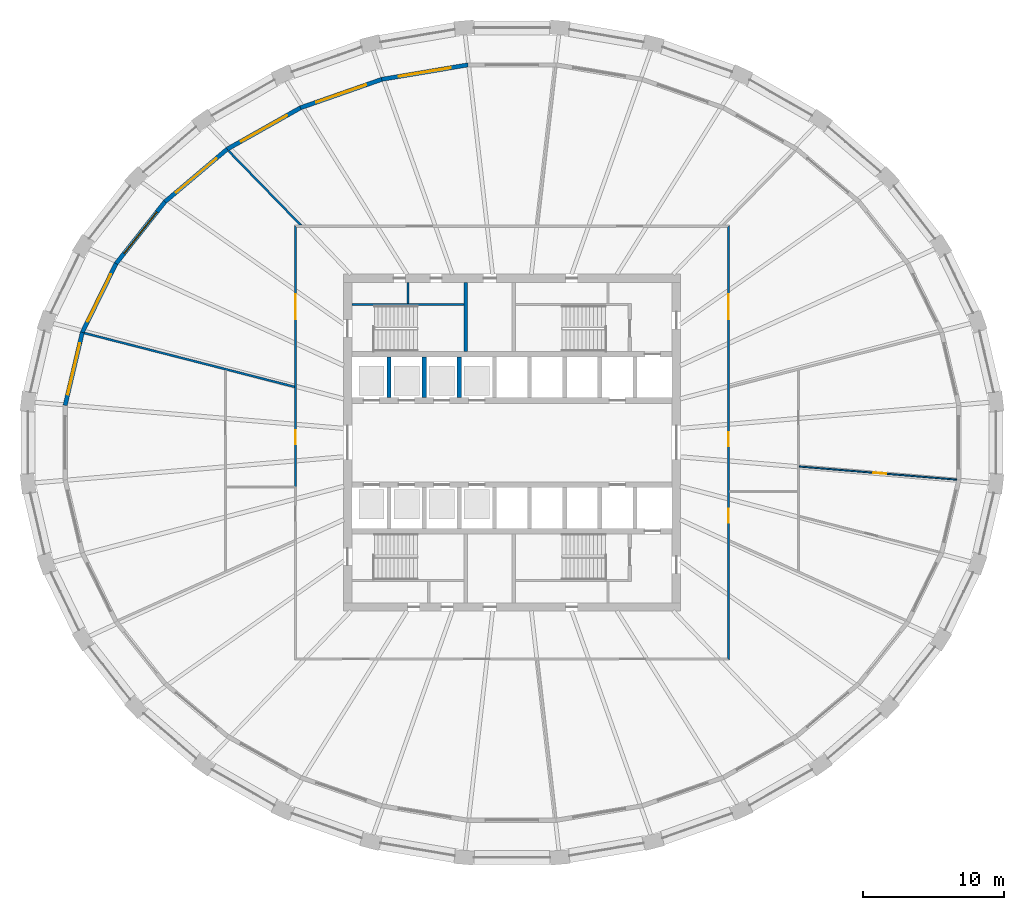
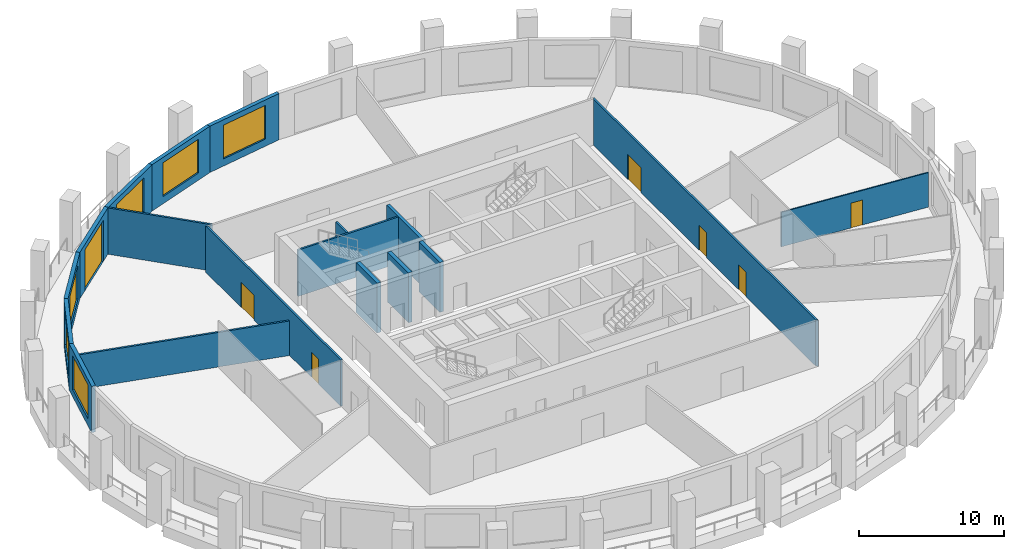
# One storey, part 5 of 10: 18 walls, 7 doors, 6 windows, 13 openings.
"""IFC4 building model written with IfcOpenShell, lengths in metres."""

from ifc_helpers import new_model, si_unit, direction, frame, frame_2d, origin, place, context, subcontext, project, spatial, polyline, rectangle, outline, extrude, material, layer, layer_set, type_object, element, fill, save


model = new_model("IFC4")

# Units and contexts
model_context = context("Model", 3, precision=1e-05, world=origin(), true_north=direction((0.0, 1.0)))
body_context = subcontext(model_context, "Body", "Model", "MODEL_VIEW")
ifc_project = project(units=[si_unit("LENGTHUNIT", "METRE"), si_unit("AREAUNIT", "SQUARE_METRE"), si_unit("VOLUMEUNIT", "CUBIC_METRE"), si_unit("PLANEANGLEUNIT", "RADIAN"), si_unit("MASSUNIT", "GRAM", prefix="KILO")], contexts=[model_context])

# Site, building, storey
site_placement = place(None, origin())
site = spatial("IfcSite", under=ifc_project, at=site_placement, CompositionType="ELEMENT")
building_placement = place(site_placement, origin())
building = spatial("IfcBuilding", under=site, at=building_placement, Name="Halqa Exchange Tower", CompositionType="ELEMENT")
storey_placement = place(building_placement, frame((0.0, 0.0, 133.89990234375)))
storey = spatial("IfcBuildingStorey", under=building, at=storey_placement, Name="L30", CompositionType="ELEMENT", Elevation=133.89990234375)

# Wall
ifc_material_1 = material(Name="Fire-rated gypsum board")
ifc_layer_1 = layer(ifc_material_1, 0.14990234375)
ifc_layer_set_1 = layer_set([ifc_layer_1], Name="Fire-rated gypsum board")
wall_type_1 = type_object("IfcWallType", Name="Fire partition EI 60 150", PredefinedType="PARTITIONING", material=ifc_layer_set_1)
wall_1_placement = place(storey_placement, frame((-30.434814453125, 7.794677734375, 0.0), z_axis=(0.0, 0.0, 1.0), x_axis=(0.968826155352, -0.247741560312, 0.0)))
element("IfcWall", 1, at=wall_1_placement, inside=storey, type_object=wall_type_1, Name="L30-PWL-001", PredefinedType="PARTITIONING", context=body_context, shape_type="SweptSolid", body=[
    extrude(outline(polyline([(0.0, -0.074951171875), (1.737060546875, -0.074951171875), (3.47412109375, -0.074951171875), (5.211181640625, -0.074951171875), (6.9482421875, -0.074951171875), (8.685302734375, -0.074951171875), (10.42236328125, -0.074951171875), (10.42822265625, -0.073486328125), (10.428466796875, -0.074951171875), (12.105712890625, -0.074951171875), (13.78271484375, -0.074951171875), (15.4599609375, -0.074951171875), (15.4599609375, -0.073486328125), (15.422119140625, 0.074951171875), (13.495849609375, 0.074951171875), (11.56982421875, 0.074951171875), (9.643798828125, 0.074951171875), (7.7177734375, 0.074951171875), (5.791748046875, 0.074951171875), (3.86572265625, 0.074951171875), (1.939453125, 0.074951171875), (0.013427734375, 0.074951171875), (0.0, 0.010498046875), (0.0, -0.074951171875)])), origin(), (0.0, 0.0, 1.0), 2.91015625),
])

# Wall, openings, doors
wall_2_placement = place(storey_placement, frame((-15.39990234375, -3.159912109375, 0.0), z_axis=(0.0, 0.0, 1.0), x_axis=(0.0, 1.0, 0.0)))
wall_2 = element("IfcWall", 2, at=wall_2_placement, inside=storey, type_object=wall_type_1, Name="L30-PWL-008", PredefinedType="PARTITIONING", context=body_context, shape_type="SweptSolid", body=[
    extrude(outline(polyline([(0.0, -0.074951171875), (1.848388671875, -0.074951171875), (3.697021484375, -0.074951171875), (5.54541015625, -0.074951171875), (7.39404296875, -0.074951171875), (9.242431640625, -0.074951171875), (11.0908203125, -0.074951171875), (12.939453125, -0.074951171875), (14.787841796875, -0.074951171875), (16.636474609375, -0.074951171875), (18.48486328125, -0.074951171875), (18.634765625, 0.074951171875), (16.771240234375, 0.074951171875), (14.90771484375, 0.074951171875), (13.04443359375, 0.074951171875), (11.180908203125, 0.074951171875), (9.3173828125, 0.074951171875), (7.453857421875, 0.074951171875), (5.59033203125, 0.074951171875), (3.72705078125, 0.074951171875), (1.863525390625, 0.074951171875), (0.0, 0.074951171875), (0.0, -0.074951171875)])), origin(), (0.0, 0.0, 1.0), 3.900146484375),
])
opening_1_placement = place(wall_2_placement, frame((11.93505859375, 0.0, 0.0)))
opening_1 = element("IfcOpeningElement", 3, at=opening_1_placement, cuts=wall_2, Name="Opening 09-03", PredefinedType="OPENING", context=body_context, shape_type="SweptSolid", body=[
    extrude(rectangle(XDim=1.800048828125, YDim=2.10009765625, at=frame_2d((0.89990234375, 1.050048828125))), frame((0.0, 0.0869140625, 0.0), z_axis=(0.0, -1.0, 0.0), x_axis=(1.0, 0.0, 0.0)), (0.0, 0.0, 1.0), 0.173828125),
])
opening_2_placement = place(wall_2_placement, frame((3.054931640625, 0.0, 0.0)))
opening_2 = element("IfcOpeningElement", 4, at=opening_2_placement, cuts=wall_2, Name="Opening 09-05", PredefinedType="OPENING", context=body_context, shape_type="SweptSolid", body=[
    extrude(rectangle(XDim=1.0, YDim=2.10009765625, at=frame_2d((0.5, 1.050048828125))), frame((0.0, 0.0869140625, 0.0), z_axis=(0.0, -1.0, 0.0), x_axis=(1.0, 0.0, 0.0)), (0.0, 0.0, 1.0), 0.173828125),
])
ifc_material_2 = material(Name="Steel fire door leaf", Category="steel")
door_type_1 = type_object("IfcDoorType", Name="Fire door FD30S 1000 x 2100", OperationType="SINGLE_SWING_LEFT", PredefinedType="DOOR", material=ifc_material_2)
door_1_placement = place(opening_2_placement, origin())
door_1 = element("IfcDoor", 5, at=door_1_placement, inside=storey, type_object=door_type_1, Name="L30-IDR-005", OperationType="SINGLE_SWING_LEFT", OverallHeight=2.10009765625, OverallWidth=1.0, PredefinedType="DOOR", context=body_context, shape_type="SweptSolid", body=[
    extrude(rectangle(XDim=1.0, YDim=2.10009765625, at=frame_2d((0.5, 1.050048828125))), frame((0.0, 0.02490234375, 0.0), z_axis=(0.0, -1.0, 0.0), x_axis=(1.0, 0.0, 0.0)), (0.0, 0.0, 1.0), 0.050048828125),
])
fill(opening_2, door_1)
door_type_2 = type_object("IfcDoorType", Name="Fire door FD30S double 1800 x 2100", OperationType="DOUBLE_DOOR_SINGLE_SWING", PredefinedType="DOOR", material=ifc_material_2)
door_2_placement = place(opening_1_placement, origin())
door_2 = element("IfcDoor", 6, at=door_2_placement, inside=storey, type_object=door_type_2, Name="L30-IDR-003", OperationType="DOUBLE_DOOR_SINGLE_SWING", OverallHeight=2.10009765625, OverallWidth=1.800048828125, PredefinedType="DOOR", context=body_context, shape_type="SweptSolid", body=[
    extrude(rectangle(XDim=1.800048828125, YDim=2.10009765625, at=frame_2d((0.89990234375, 1.050048828125))), frame((0.0, 0.02490234375, 0.0), z_axis=(0.0, -1.0, 0.0), x_axis=(1.0, 0.0, 0.0)), (0.0, 0.0, 1.0), 0.050048828125),
])
fill(opening_1, door_2)

# Wall
wall_3_placement = place(storey_placement, frame((-14.982421875, 15.4228515625, 0.0), z_axis=(0.0, 0.0, 1.0), x_axis=(-0.69739829169, 0.716683767604, 0.0)))
element("IfcWall", 7, at=wall_3_placement, inside=storey, type_object=wall_type_1, Name="L30-PWL-010", PredefinedType="PARTITIONING", context=body_context, shape_type="SweptSolid", body=[
    extrude(outline(polyline([(7.430908203125, 0.074951171875), (5.609619140625, 0.074951171875), (3.788330078125, 0.074951171875), (1.967041015625, 0.074951171875), (0.145751953125, 0.074951171875), (0.0, -0.07470703125), (0.0, -0.074951171875), (1.857666015625, -0.074951171875), (3.71533203125, -0.074951171875), (5.5732421875, -0.074951171875), (7.430908203125, -0.074951171875), (7.430908203125, 0.074951171875)])), origin(), (0.0, 0.0, 1.0), 3.900146484375),
])

# Wall, openings, doors
wall_4_placement = place(storey_placement, frame((15.39990234375, -15.47509765625, 0.0), z_axis=(0.0, 0.0, 1.0), x_axis=(0.0, 1.0, 0.0)))
wall_4 = element("IfcWall", 8, at=wall_4_placement, inside=storey, type_object=wall_type_1, Name="L30-PWL-013", PredefinedType="PARTITIONING", context=body_context, shape_type="SweptSolid", body=[
    extrude(outline(polyline([(0.000244140625, -0.074951171875), (1.9345703125, -0.074951171875), (3.868896484375, -0.074951171875), (5.80322265625, -0.074951171875), (7.73779296875, -0.074951171875), (9.672119140625, -0.074951171875), (11.6064453125, -0.074951171875), (13.540771484375, -0.074951171875), (15.47509765625, -0.074951171875), (17.409423828125, -0.074951171875), (19.34375, -0.074951171875), (21.278076171875, -0.074951171875), (23.21240234375, -0.074951171875), (25.14697265625, -0.074951171875), (27.081298828125, -0.074951171875), (29.015625, -0.074951171875), (30.949951171875, -0.074951171875), (30.800048828125, 0.074951171875), (28.884521484375, 0.074951171875), (26.96875, 0.074951171875), (25.05322265625, 0.074951171875), (23.1376953125, 0.074951171875), (21.221923828125, 0.074951171875), (19.306396484375, 0.074951171875), (17.390625, 0.074951171875), (15.47509765625, 0.074951171875), (13.5595703125, 0.074951171875), (11.643798828125, 0.074951171875), (9.728271484375, 0.074951171875), (7.8125, 0.074951171875), (5.89697265625, 0.074951171875), (3.9814453125, 0.074951171875), (2.065673828125, 0.074951171875), (0.150146484375, 0.074951171875), (0.000244140625, -0.074951171875)])), origin(), (0.0, 0.0, 1.0), 3.900146484375),
])
opening_3_placement = place(wall_4_placement, frame((9.760009765625, 0.0, 0.0)))
opening_3 = element("IfcOpeningElement", 9, at=opening_3_placement, cuts=wall_4, Name="Opening 09-09", PredefinedType="OPENING", context=body_context, shape_type="SweptSolid", body=[
    extrude(rectangle(XDim=1.0, YDim=2.10009765625, at=frame_2d((0.5, 1.050048828125))), frame((0.0, 0.0869140625, 0.0), z_axis=(0.0, -1.0, 0.0), x_axis=(1.0, 0.0, 0.0)), (0.0, 0.0, 1.0), 0.173828125),
])
opening_4_placement = place(wall_4_placement, frame((15.2099609375, 0.0, 0.0)))
opening_4 = element("IfcOpeningElement", 10, at=opening_4_placement, cuts=wall_4, Name="Opening 09-10", PredefinedType="OPENING", context=body_context, shape_type="SweptSolid", body=[
    extrude(rectangle(XDim=1.0, YDim=2.10009765625, at=frame_2d((0.5, 1.050048828125))), frame((0.0, 0.0869140625, 0.0), z_axis=(0.0, -1.0, 0.0), x_axis=(1.0, 0.0, 0.0)), (0.0, 0.0, 1.0), 0.173828125),
])
opening_5_placement = place(wall_4_placement, frame((24.25, 0.0, 0.0)))
opening_5 = element("IfcOpeningElement", 11, at=opening_5_placement, cuts=wall_4, Name="Opening 09-11", PredefinedType="OPENING", context=body_context, shape_type="SweptSolid", body=[
    extrude(rectangle(XDim=1.800048828125, YDim=2.10009765625, at=frame_2d((0.89990234375, 1.050048828125))), frame((0.0, 0.0869140625, 0.0), z_axis=(0.0, -1.0, 0.0), x_axis=(1.0, 0.0, 0.0)), (0.0, 0.0, 1.0), 0.173828125),
])
door_3_placement = place(opening_3_placement, frame((1.0, 0.0, 0.0), z_axis=(0.0, 0.0, 1.0), x_axis=(-1.0, 0.0, 0.0)))
door_3 = element("IfcDoor", 12, at=door_3_placement, inside=storey, type_object=door_type_1, Name="L30-IDR-009", OperationType="SINGLE_SWING_LEFT", OverallHeight=2.10009765625, OverallWidth=1.0, PredefinedType="DOOR", context=body_context, shape_type="SweptSolid", body=[
    extrude(rectangle(XDim=1.0, YDim=2.10009765625, at=frame_2d((0.5, 1.050048828125))), frame((0.0, 0.02490234375, 0.0), z_axis=(0.0, -1.0, 0.0), x_axis=(1.0, 0.0, 0.0)), (0.0, 0.0, 1.0), 0.050048828125),
])
fill(opening_3, door_3)
door_4_placement = place(opening_4_placement, frame((1.0, 0.0, 0.0), z_axis=(0.0, 0.0, 1.0), x_axis=(-1.0, 0.0, 0.0)))
door_4 = element("IfcDoor", 13, at=door_4_placement, inside=storey, type_object=door_type_1, Name="L30-IDR-010", OperationType="SINGLE_SWING_RIGHT", OverallHeight=2.10009765625, OverallWidth=1.0, PredefinedType="DOOR", context=body_context, shape_type="SweptSolid", body=[
    extrude(rectangle(XDim=1.0, YDim=2.10009765625, at=frame_2d((0.5, 1.050048828125))), frame((0.0, 0.02490234375, 0.0), z_axis=(0.0, -1.0, 0.0), x_axis=(1.0, 0.0, 0.0)), (0.0, 0.0, 1.0), 0.050048828125),
])
fill(opening_4, door_4)
door_5_placement = place(opening_5_placement, frame((1.800048828125, 0.0, 0.0), z_axis=(0.0, 0.0, 1.0), x_axis=(-1.0, 0.0, 0.0)))
door_5 = element("IfcDoor", 14, at=door_5_placement, inside=storey, type_object=door_type_2, Name="L30-IDR-011", OperationType="DOUBLE_DOOR_SINGLE_SWING", OverallHeight=2.10009765625, OverallWidth=1.800048828125, PredefinedType="DOOR", context=body_context, shape_type="SweptSolid", body=[
    extrude(rectangle(XDim=1.800048828125, YDim=2.10009765625, at=frame_2d((0.89990234375, 1.050048828125))), frame((0.0, 0.02490234375, 0.0), z_axis=(0.0, -1.0, 0.0), x_axis=(1.0, 0.0, 0.0)), (0.0, 0.0, 1.0), 0.050048828125),
])
fill(opening_5, door_5)

# Wall, opening, door
ifc_material_3 = material(Name="Gypsum board")
ifc_layer_2 = layer(ifc_material_3, 0.10009765625)
ifc_layer_set_2 = layer_set([ifc_layer_2], Name="Gypsum board")
wall_type_2 = type_object("IfcWallType", Name="Partition 100 gypsum", PredefinedType="PARTITIONING", material=ifc_layer_set_2)
wall_5_placement = place(storey_placement, frame((20.4462890625, -1.703857421875, 0.0), z_axis=(0.0, 0.0, 1.0), x_axis=(0.996562664629, -0.082842353107, 0.0)))
wall_5 = element("IfcWall", 15, at=wall_5_placement, inside=storey, type_object=wall_type_2, Name="L30-PWL-020", PredefinedType="PARTITIONING", context=body_context, shape_type="SweptSolid", body=[
    extrude(outline(polyline([(0.0078125, -0.050048828125), (1.87939453125, -0.050048828125), (3.750732421875, -0.050048828125), (5.6220703125, -0.050048828125), (7.49365234375, -0.050048828125), (9.364990234375, -0.050048828125), (11.236328125, -0.050048828125), (11.239990234375, -0.026123046875), (11.239990234375, 0.050048828125), (9.36669921875, 0.050048828125), (7.493408203125, 0.050048828125), (5.6201171875, 0.050048828125), (3.74658203125, 0.050048828125), (1.873291015625, 0.050048828125), (0.0, 0.050048828125), (0.0, 0.044677734375), (0.0078125, -0.050048828125)])), origin(), (0.0, 0.0, 1.0), 2.91015625),
])
opening_6_placement = place(wall_5_placement, frame((5.29833984375, 0.0, 0.0)))
opening_6 = element("IfcOpeningElement", 16, at=opening_6_placement, cuts=wall_5, Name="Opening 09-14", PredefinedType="OPENING", context=body_context, shape_type="SweptSolid", body=[
    extrude(rectangle(XDim=0.89990234375, YDim=2.10009765625, at=frame_2d((0.449951171875, 1.050048828125))), frame((0.0, 0.06201171875, 0.0), z_axis=(0.0, -1.0, 0.0), x_axis=(1.0, 0.0, 0.0)), (0.0, 0.0, 1.0), 0.1240234375),
])
ifc_material_4 = material(Name="Timber door leaf", Category="wood")
door_type_3 = type_object("IfcDoorType", Name="Door 900 x 2100", OperationType="SINGLE_SWING_LEFT", PredefinedType="DOOR", material=ifc_material_4)
door_6_placement = place(opening_6_placement, frame((0.89990234375, 0.0, 0.0), z_axis=(0.0, 0.0, 1.0), x_axis=(-1.0, 0.0, 0.0)))
door_6 = element("IfcDoor", 17, at=door_6_placement, inside=storey, type_object=door_type_3, Name="L30-IDR-014", OperationType="SINGLE_SWING_LEFT", OverallHeight=2.10009765625, OverallWidth=0.89990234375, PredefinedType="DOOR", context=body_context, shape_type="SweptSolid", body=[
    extrude(rectangle(XDim=0.89990234375, YDim=2.10009765625, at=frame_2d((0.449951171875, 1.050048828125))), frame((0.0, 0.02490234375, 0.0), z_axis=(0.0, -1.0, 0.0), x_axis=(1.0, 0.0, 0.0)), (0.0, 0.0, 1.0), 0.050048828125),
])
fill(opening_6, door_6)

# Walls
ifc_layer_3 = layer(ifc_material_3, 0.14990234375)
ifc_layer_set_3 = layer_set([ifc_layer_3], Name="Gypsum board")
wall_type_3 = type_object("IfcWallType", Name="Penthouse riser wall 150 gypsum", PredefinedType="PARTITIONING", material=ifc_layer_set_3)
wall_6_placement = place(storey_placement, frame((-7.39990234375, 9.89990234375, 0.0), z_axis=(0.0, 0.0, 1.0), x_axis=(0.0, 1.0, 0.0)))
element("IfcWall", 18, at=wall_6_placement, inside=storey, type_object=wall_type_3, Name="Partition W7.400 N", PredefinedType="PARTITIONING", context=body_context, shape_type="SweptSolid", body=[
    extrude(rectangle(XDim=1.5, YDim=0.14990234375, at=frame_2d((0.75, 0.0))), origin(), (0.0, 0.0, 1.0), 3.900146484375),
])
ifc_material_5 = material(Name="Concrete C60/75", Category="concrete")
ifc_layer_4 = layer(ifc_material_5, 0.300048828125)
ifc_layer_set_4 = layer_set([ifc_layer_4], Name="Concrete C60/75")
wall_type_4 = type_object("IfcWallType", Name="RC core wall 300", PredefinedType="SHEAR", material=ifc_layer_set_4)
for number, where, z_axis, x_axis, name in (
    (19, (-8.75, 3.199951171875, 0.0), (0.0, 0.0, 1.0), (0.0, 1.0, 0.0), "Shaft divider N1"),
    (20, (-6.25, 3.199951171875, 0.0), (0.0, 0.0, 1.0), (0.0, 1.0, 0.0), "Shaft divider N2"),
    (21, (-3.75, 3.199951171875, 0.0), (0.0, 0.0, 1.0), (0.0, 1.0, 0.0), "Shaft divider N3"),
):
    element("IfcWall", number, at=place(storey_placement, frame(where, z_axis=z_axis, x_axis=x_axis)), inside=storey, type_object=wall_type_4, Name=name, PredefinedType="SHEAR", context=body_context, shape_type="SweptSolid", body=[
        extrude(rectangle(XDim=2.900146484375, YDim=0.300048828125, at=frame_2d((1.4501953125, 0.0))), origin(), (0.0, 0.0, 1.0), 4.2001953125),
    ])
ifc_material_6 = material(Name="Concrete C30/37", Category="concrete")
ifc_layer_5 = layer(ifc_material_6, 0.14990234375)
ifc_layer_set_5 = layer_set([ifc_layer_5], Name="Concrete C30/37")
wall_type_5 = type_object("IfcWallType", Name="RC stair wall 150 C30/37", PredefinedType="SHEAR", material=ifc_layer_set_5)
wall_7_placement = place(storey_placement, frame((-11.39990234375, 9.824951171875, 0.0), z_axis=(0.0, 0.0, 1.0), x_axis=(1.0, 0.0, 0.0)))
element("IfcWall", 22, at=wall_7_placement, inside=storey, type_object=wall_type_5, Name="Stair ST1 north wall N", PredefinedType="SHEAR", context=body_context, shape_type="SweptSolid", body=[
    extrude(rectangle(XDim=8.0, YDim=0.14990234375, at=frame_2d((4.0, 0.0))), origin(), (0.0, 0.0, 1.0), 3.900146484375),
])
ifc_layer_6 = layer(ifc_material_6, 0.25)
ifc_layer_set_6 = layer_set([ifc_layer_6], Name="Concrete C30/37")
wall_type_6 = type_object("IfcWallType", Name="RC stair wall 250 C30/37", PredefinedType="SHEAR", material=ifc_layer_set_6)
wall_8_placement = place(storey_placement, frame((-3.27490234375, 6.5, 0.0), z_axis=(0.0, 0.0, 1.0), x_axis=(0.0, 1.0, 0.0)))
element("IfcWall", 23, at=wall_8_placement, inside=storey, type_object=wall_type_6, Name="Stair ST1 east wall N", PredefinedType="SHEAR", context=body_context, shape_type="SweptSolid", body=[
    extrude(rectangle(XDim=4.89990234375, YDim=0.25, at=frame_2d((2.449951171875, 0.0))), origin(), (0.0, 0.0, 1.0), 3.900146484375),
])

# Wall, opening, window
ifc_material_7 = material(Name="Limestone cladding", Category="masonry")
ifc_layer_7 = layer(ifc_material_7, 0.0400390625)
ifc_material_8 = material(Name="Ventilated cavity")
ifc_layer_8 = layer(ifc_material_8, 0.030029296875, ventilated=True)
ifc_material_9 = material(Name="Mineral wool insulation")
ifc_layer_9 = layer(ifc_material_9, 0.10009765625)
ifc_layer_10 = layer(ifc_material_6, 0.10009765625)
ifc_material_10 = material(Name="Internal plaster")
ifc_layer_11 = layer(ifc_material_10, 0.030029296875)
ifc_layer_set_7 = layer_set([ifc_layer_7, ifc_layer_8, ifc_layer_9, ifc_layer_10, ifc_layer_11], Name="Stone-faced insulated wall 300")
wall_type_7 = type_object("IfcWallType", Name="Stone-faced insulated wall 300", PredefinedType="STANDARD", material=ifc_layer_set_7)
wall_9_placement = place(storey_placement, frame((-3.1298828125, 26.88232421875, 0.0), z_axis=(0.0, 0.0, 1.0), x_axis=(-0.9861811474, -0.165670590368, 0.0)))
wall_9 = element("IfcWall", 24, at=wall_9_placement, inside=storey, type_object=wall_type_7, Name="Glass-line wall 9", PredefinedType="STANDARD", context=body_context, shape_type="SweptSolid", body=[
    extrude(outline(polyline([(-0.012451171875, -0.14990234375), (6.23876953125, -0.14990234375), (6.21337890625, 0.14990234375), (0.012451171875, 0.14990234375), (-0.012451171875, -0.14990234375)])), origin(), (0.0, 0.0, 1.0), 3.900146484375),
])
opening_7_placement = place(wall_9_placement, frame((1.238037109375, 0.0, 0.60009765625)))
opening_7 = element("IfcOpeningElement", 25, at=opening_7_placement, cuts=wall_9, Name="Opening W-F2-09", PredefinedType="OPENING", context=body_context, shape_type="SweptSolid", body=[
    extrude(rectangle(XDim=3.75, YDim=2.85009765625, at=frame_2d((1.875, 1.425048828125))), frame((0.0, 0.162109375, 0.0), z_axis=(0.0, -1.0, 0.0), x_axis=(1.0, 0.0, 0.0)), (0.0, 0.0, 1.0), 0.323974609375),
])
ifc_material_11 = material(Name="Clear low-emissivity glass in aluminium frame", Category="aluminium")
window_type = type_object("IfcWindowType", Name="Fixed clear glazed window 3750 x 2850", PartitioningType="TRIPLE_PANEL_VERTICAL", PredefinedType="WINDOW", material=ifc_material_11)
window_1_placement = place(opening_7_placement, origin())
window_1 = element("IfcWindow", 26, at=window_1_placement, inside=storey, type_object=window_type, Name="Window 2", OverallHeight=2.85009765625, OverallWidth=3.75, PartitioningType="TRIPLE_PANEL_VERTICAL", PredefinedType="WINDOW", context=body_context, shape_type="SweptSolid", body=[
    extrude(rectangle(XDim=3.75, YDim=2.85009765625, at=frame_2d((1.875, 1.425048828125))), frame((0.0, 0.030029296875, 0.0), z_axis=(0.0, -1.0, 0.0), x_axis=(1.0, 0.0, 0.0)), (0.0, 0.0, 1.0), 0.06005859375),
])
fill(opening_7, window_1)

wall_10_placement = place(storey_placement, frame((-9.27001953125, 25.850830078125, 0.0), z_axis=(0.0, 0.0, 1.0), x_axis=(-0.943911133508, -0.330199594245, 0.0)))
wall_10 = element("IfcWall", 27, at=wall_10_placement, inside=storey, type_object=wall_type_7, Name="Glass-line wall 10", PredefinedType="STANDARD", context=body_context, shape_type="SweptSolid", body=[
    extrude(outline(polyline([(-0.0126953125, -0.14990234375), (6.14208984375, -0.14990234375), (6.115234375, 0.14990234375), (0.0126953125, 0.14990234375), (-0.0126953125, -0.14990234375)])), origin(), (0.0, 0.0, 1.0), 3.900146484375),
])
opening_8_placement = place(wall_10_placement, frame((1.189208984375, 0.0, 0.60009765625)))
opening_8 = element("IfcOpeningElement", 28, at=opening_8_placement, cuts=wall_10, Name="Opening W-F2-10", PredefinedType="OPENING", context=body_context, shape_type="SweptSolid", body=[
    extrude(rectangle(XDim=3.75, YDim=2.85009765625, at=frame_2d((1.875, 1.425048828125))), frame((0.0, 0.162109375, 0.0), z_axis=(0.0, -1.0, 0.0), x_axis=(1.0, 0.0, 0.0)), (0.0, 0.0, 1.0), 0.323974609375),
])
window_2_placement = place(opening_8_placement, origin())
window_2 = element("IfcWindow", 29, at=window_2_placement, inside=storey, type_object=window_type, Name="Window 2", OverallHeight=2.85009765625, OverallWidth=3.75, PartitioningType="TRIPLE_PANEL_VERTICAL", PredefinedType="WINDOW", context=body_context, shape_type="SweptSolid", body=[
    extrude(rectangle(XDim=3.75, YDim=2.85009765625, at=frame_2d((1.875, 1.425048828125))), frame((0.0, 0.030029296875, 0.0), z_axis=(0.0, -1.0, 0.0), x_axis=(1.0, 0.0, 0.0)), (0.0, 0.0, 1.0), 0.06005859375),
])
fill(opening_8, window_2)

wall_11_placement = place(storey_placement, frame((-15.054931640625, 23.8271484375, 0.0), z_axis=(0.0, 0.0, 1.0), x_axis=(-0.87090857883, -0.491445060327, 0.0)))
wall_11 = element("IfcWall", 30, at=wall_11_placement, inside=storey, type_object=wall_type_7, Name="Glass-line wall 11", PredefinedType="STANDARD", context=body_context, shape_type="SweptSolid", body=[
    extrude(outline(polyline([(-0.013427734375, -0.14990234375), (5.994384765625, -0.14990234375), (5.966064453125, 0.14990234375), (0.013427734375, 0.14990234375), (-0.013427734375, -0.14990234375)])), origin(), (0.0, 0.0, 1.0), 3.900146484375),
])
opening_9_placement = place(wall_11_placement, frame((1.114990234375, 0.0, 0.60009765625)))
opening_9 = element("IfcOpeningElement", 31, at=opening_9_placement, cuts=wall_11, Name="Opening W-F2-11", PredefinedType="OPENING", context=body_context, shape_type="SweptSolid", body=[
    extrude(rectangle(XDim=3.75, YDim=2.85009765625, at=frame_2d((1.875, 1.425048828125))), frame((0.0, 0.162109375, 0.0), z_axis=(0.0, -1.0, 0.0), x_axis=(1.0, 0.0, 0.0)), (0.0, 0.0, 1.0), 0.323974609375),
])
window_3_placement = place(opening_9_placement, origin())
window_3 = element("IfcWindow", 32, at=window_3_placement, inside=storey, type_object=window_type, Name="Window 2", OverallHeight=2.85009765625, OverallWidth=3.75, PartitioningType="TRIPLE_PANEL_VERTICAL", PredefinedType="WINDOW", context=body_context, shape_type="SweptSolid", body=[
    extrude(rectangle(XDim=3.75, YDim=2.85009765625, at=frame_2d((1.875, 1.425048828125))), frame((0.0, 0.030029296875, 0.0), z_axis=(0.0, -1.0, 0.0), x_axis=(1.0, 0.0, 0.0)), (0.0, 0.0, 1.0), 0.06005859375),
])
fill(opening_9, window_3)

# Wall, opening, door
wall_12_placement = place(storey_placement, frame((-20.26318359375, 20.88818359375, 0.0), z_axis=(0.0, 0.0, 1.0), x_axis=(-0.763963973896, -0.645258898884, 0.0)))
wall_12 = element("IfcWall", 33, at=wall_12_placement, inside=storey, type_object=wall_type_7, Name="Glass-line wall 12", PredefinedType="STANDARD", context=body_context, shape_type="SweptSolid", body=[
    extrude(outline(polyline([(-0.01416015625, -0.14990234375), (5.81494140625, -0.14990234375), (5.78466796875, 0.14990234375), (0.01416015625, 0.14990234375), (-0.01416015625, -0.14990234375)])), origin(), (0.0, 0.0, 1.0), 3.900146484375),
])
opening_10_placement = place(wall_12_placement, frame((1.02490234375, 0.0, 0.0)))
opening_10 = element("IfcOpeningElement", 34, at=opening_10_placement, cuts=wall_12, Name="Opening LG-F2-03", PredefinedType="OPENING", context=body_context, shape_type="SweptSolid", body=[
    extrude(rectangle(XDim=3.75, YDim=3.449951171875, at=frame_2d((1.875, 1.72509765625))), frame((0.0, 0.162109375, 0.0), z_axis=(0.0, -1.0, 0.0), x_axis=(1.0, 0.0, 0.0)), (0.0, 0.0, 1.0), 0.323974609375),
])
door_type_4 = type_object("IfcDoorType", Name="Glazed sliding loggia door 3750 x 3450", OperationType="DOUBLE_DOOR_SLIDING", PredefinedType="DOOR", material=ifc_material_11)
door_7_placement = place(opening_10_placement, origin())
door_7 = element("IfcDoor", 35, at=door_7_placement, inside=storey, type_object=door_type_4, Name="Loggia door 3", OperationType="DOUBLE_DOOR_SLIDING", OverallHeight=3.449951171875, OverallWidth=3.75, PredefinedType="DOOR", context=body_context, shape_type="SweptSolid", body=[
    extrude(rectangle(XDim=3.75, YDim=3.449951171875, at=frame_2d((1.875, 1.72509765625))), frame((0.0, 0.02490234375, 0.0), z_axis=(0.0, -1.0, 0.0), x_axis=(1.0, 0.0, 0.0)), (0.0, 0.0, 1.0), 0.050048828125),
])
fill(opening_10, door_7)

# Wall, opening, window
wall_13_placement = place(storey_placement, frame((-24.694091796875, 17.145751953125, 0.0), z_axis=(0.0, 0.0, 1.0), x_axis=(-0.620464552431, -0.784234492468, 0.0)))
wall_13 = element("IfcWall", 36, at=wall_13_placement, inside=storey, type_object=wall_type_7, Name="Glass-line wall 13", PredefinedType="STANDARD", context=body_context, shape_type="SweptSolid", body=[
    extrude(outline(polyline([(-0.01513671875, -0.14990234375), (5.63037109375, -0.14990234375), (5.59814453125, 0.14990234375), (0.01513671875, 0.14990234375), (-0.01513671875, -0.14990234375)])), origin(), (0.0, 0.0, 1.0), 3.900146484375),
])
opening_11_placement = place(wall_13_placement, frame((0.931884765625, 0.0, 0.60009765625)))
opening_11 = element("IfcOpeningElement", 37, at=opening_11_placement, cuts=wall_13, Name="Opening W-F2-13", PredefinedType="OPENING", context=body_context, shape_type="SweptSolid", body=[
    extrude(rectangle(XDim=3.75, YDim=2.85009765625, at=frame_2d((1.875, 1.425048828125))), frame((0.0, 0.162109375, 0.0), z_axis=(0.0, -1.0, 0.0), x_axis=(1.0, 0.0, 0.0)), (0.0, 0.0, 1.0), 0.323974609375),
])
window_4_placement = place(opening_11_placement, origin())
window_4 = element("IfcWindow", 38, at=window_4_placement, inside=storey, type_object=window_type, Name="Window 2", OverallHeight=2.85009765625, OverallWidth=3.75, PartitioningType="TRIPLE_PANEL_VERTICAL", PredefinedType="WINDOW", context=body_context, shape_type="SweptSolid", body=[
    extrude(rectangle(XDim=3.75, YDim=2.85009765625, at=frame_2d((1.875, 1.425048828125))), frame((0.0, 0.030029296875, 0.0), z_axis=(0.0, -1.0, 0.0), x_axis=(1.0, 0.0, 0.0)), (0.0, 0.0, 1.0), 0.06005859375),
])
fill(opening_11, window_4)

wall_14_placement = place(storey_placement, frame((-28.177490234375, 12.742919921875, 0.0), z_axis=(0.0, 0.0, 1.0), x_axis=(-0.440321465864, -0.897840189956, 0.0)))
wall_14 = element("IfcWall", 39, at=wall_14_placement, inside=storey, type_object=wall_type_7, Name="Glass-line wall 14", PredefinedType="STANDARD", context=body_context, shape_type="SweptSolid", body=[
    extrude(outline(polyline([(-0.01611328125, -0.14990234375), (5.46826171875, -0.14990234375), (5.4345703125, 0.14990234375), (0.01611328125, 0.14990234375), (-0.01611328125, -0.14990234375)])), origin(), (0.0, 0.0, 1.0), 3.900146484375),
])
opening_12_placement = place(wall_14_placement, frame((0.850830078125, 0.0, 0.60009765625)))
opening_12 = element("IfcOpeningElement", 40, at=opening_12_placement, cuts=wall_14, Name="Opening W-F2-14", PredefinedType="OPENING", context=body_context, shape_type="SweptSolid", body=[
    extrude(rectangle(XDim=3.75, YDim=2.85009765625, at=frame_2d((1.875, 1.425048828125))), frame((0.0, 0.162109375, 0.0), z_axis=(0.0, -1.0, 0.0), x_axis=(1.0, 0.0, 0.0)), (0.0, 0.0, 1.0), 0.323974609375),
])
window_5_placement = place(opening_12_placement, origin())
window_5 = element("IfcWindow", 41, at=window_5_placement, inside=storey, type_object=window_type, Name="Window 2", OverallHeight=2.85009765625, OverallWidth=3.75, PartitioningType="TRIPLE_PANEL_VERTICAL", PredefinedType="WINDOW", context=body_context, shape_type="SweptSolid", body=[
    extrude(rectangle(XDim=3.75, YDim=2.85009765625, at=frame_2d((1.875, 1.425048828125))), frame((0.0, 0.030029296875, 0.0), z_axis=(0.0, -1.0, 0.0), x_axis=(1.0, 0.0, 0.0)), (0.0, 0.0, 1.0), 0.06005859375),
])
fill(opening_12, window_5)

wall_15_placement = place(storey_placement, frame((-30.577880859375, 7.848388671875, 0.0), z_axis=(0.0, 0.0, 1.0), x_axis=(-0.229227895667, -0.973372781543, 0.0)))
wall_15 = element("IfcWall", 42, at=wall_15_placement, inside=storey, type_object=wall_type_7, Name="Glass-line wall 15", PredefinedType="STANDARD", context=body_context, shape_type="SweptSolid", body=[
    extrude(outline(polyline([(-0.016845703125, -0.14990234375), (5.357421875, -0.14990234375), (5.32275390625, 0.14990234375), (0.016845703125, 0.14990234375), (-0.016845703125, -0.14990234375)])), origin(), (0.0, 0.0, 1.0), 3.900146484375),
])
opening_13_placement = place(wall_15_placement, frame((0.795166015625, 0.0, 0.60009765625)))
opening_13 = element("IfcOpeningElement", 43, at=opening_13_placement, cuts=wall_15, Name="Opening W-F2-15", PredefinedType="OPENING", context=body_context, shape_type="SweptSolid", body=[
    extrude(rectangle(XDim=3.75, YDim=2.85009765625, at=frame_2d((1.875, 1.425048828125))), frame((0.0, 0.162109375, 0.0), z_axis=(0.0, -1.0, 0.0), x_axis=(1.0, 0.0, 0.0)), (0.0, 0.0, 1.0), 0.323974609375),
])
window_6_placement = place(opening_13_placement, origin())
window_6 = element("IfcWindow", 44, at=window_6_placement, inside=storey, type_object=window_type, Name="Window 2", OverallHeight=2.85009765625, OverallWidth=3.75, PartitioningType="TRIPLE_PANEL_VERTICAL", PredefinedType="WINDOW", context=body_context, shape_type="SweptSolid", body=[
    extrude(rectangle(XDim=3.75, YDim=2.85009765625, at=frame_2d((1.875, 1.425048828125))), frame((0.0, 0.030029296875, 0.0), z_axis=(0.0, -1.0, 0.0), x_axis=(1.0, 0.0, 0.0)), (0.0, 0.0, 1.0), 0.06005859375),
])
fill(opening_13, window_6)

save(model, "model.ifc")
